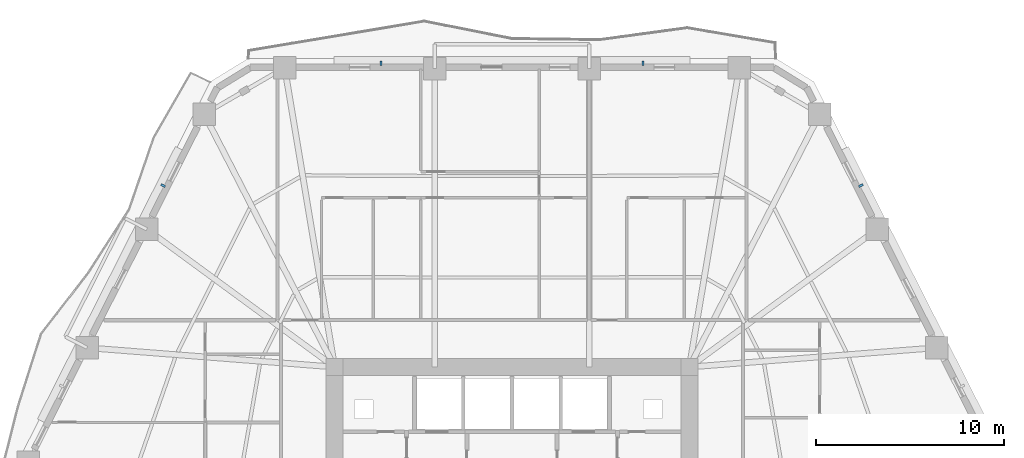
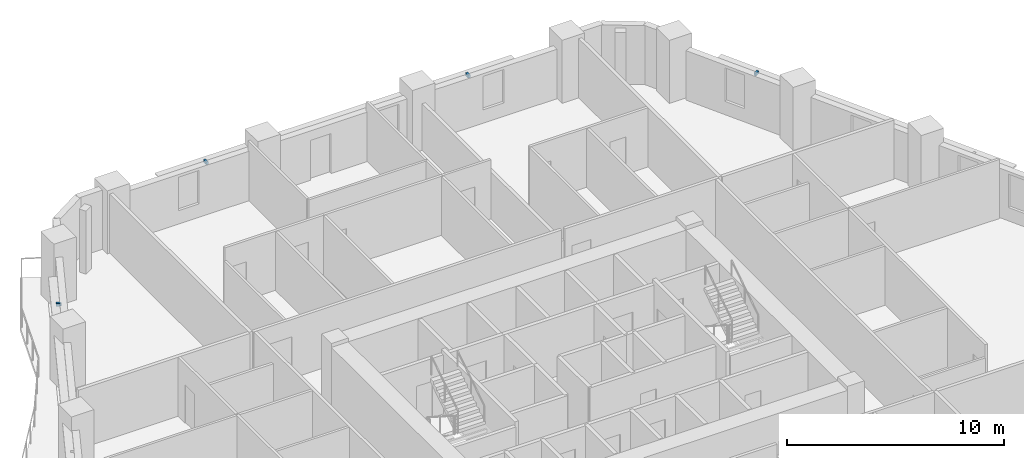
# One storey, part 10 of 14: 4 discrete accessories.
"""IFC4 building model written with IfcOpenShell, lengths in metres."""

from ifc_helpers import new_model, si_unit, direction, frame, origin, origin_2d, place, context, subcontext, project, spatial, rectangle, extrude, material, type_object, element, save


model = new_model("IFC4")

# Units and contexts
model_context = context("Model", 3, precision=1e-05, world=origin(), true_north=direction((0.0, 1.0)))
body_context = subcontext(model_context, "Body", "Model", "MODEL_VIEW")
ifc_project = project(units=[si_unit("LENGTHUNIT", "METRE"), si_unit("AREAUNIT", "SQUARE_METRE"), si_unit("VOLUMEUNIT", "CUBIC_METRE"), si_unit("PLANEANGLEUNIT", "RADIAN"), si_unit("MASSUNIT", "GRAM", prefix="KILO")], contexts=[model_context])

# Site, building, storey
site_placement = place(None, origin())
site = spatial("IfcSite", under=ifc_project, at=site_placement, CompositionType="ELEMENT")
building_placement = place(site_placement, origin())
building = spatial("IfcBuilding", under=site, at=building_placement, Name="Cinnabar Lancet Tower", CompositionType="ELEMENT")
storey_placement = place(building_placement, frame((0.0, 0.0, 53.300048828125)))
storey = spatial("IfcBuildingStorey", under=building, at=storey_placement, Name="L13", CompositionType="ELEMENT", Elevation=53.300048828125)

# Discrete accessories
ifc_material = material(Name="Stainless steel 316 facade fixing bracket", Category="steel")
discrete_accessory_type = type_object("IfcDiscreteAccessoryType", Name="ENV-ACC-BRK-180", PredefinedType="BRACKET", material=ifc_material)
for number, where, z_axis, x_axis, name in (
    (1, (50.993896484375, 43.02099609375, 2.60009765625), (0.0, 0.0, 1.0), (-0.451500573218, 0.892270829056, 0.0), "L13 Face 3 Sunshade Bracket B"),
    (2, (39.383056640625, 49.5400390625, 2.60009765625), (0.0, 0.0, 1.0), (-1.0, 0.0, 0.0), "L13 Face 4 Sunshade Bracket A"),
    (3, (25.4169921875, 49.5400390625, 2.60009765625), (0.0, 0.0, 1.0), (-1.0, 0.0, 0.0), "L13 Face 4 Sunshade Bracket B"),
    (4, (13.805908203125, 43.02099609375, 2.60009765625), (0.0, 0.0, 1.0), (-0.451500573218, -0.892270829056, 0.0), "L13 Face 5 Sunshade Bracket A"),
):
    element("IfcDiscreteAccessory", number, at=place(storey_placement, frame(where, z_axis=z_axis, x_axis=x_axis)), inside=storey, type_object=discrete_accessory_type, Name=name, PredefinedType="BRACKET", context=body_context, shape_type="SweptSolid", body=[
        extrude(rectangle(XDim=0.1201171875, YDim=0.239990234375, at=origin_2d()), origin(), (0.0, 0.0, 1.0), 0.159912109375),
    ])

save(model, "model.ifc")
